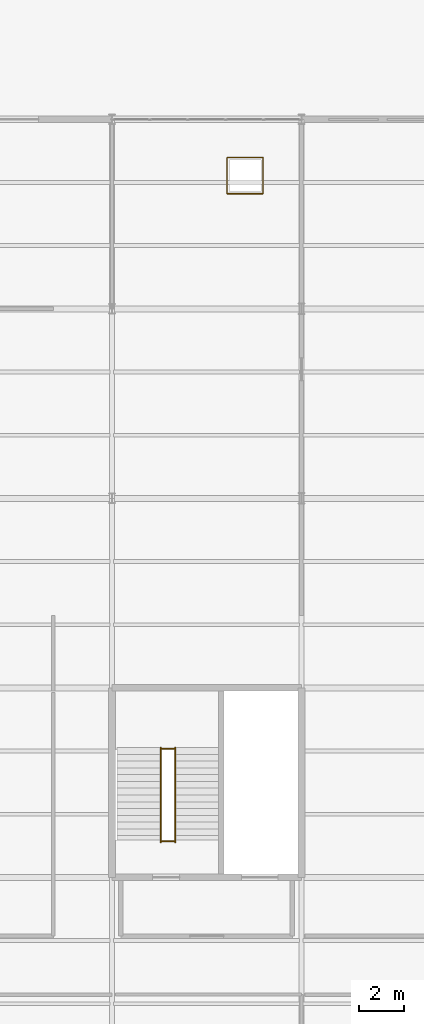
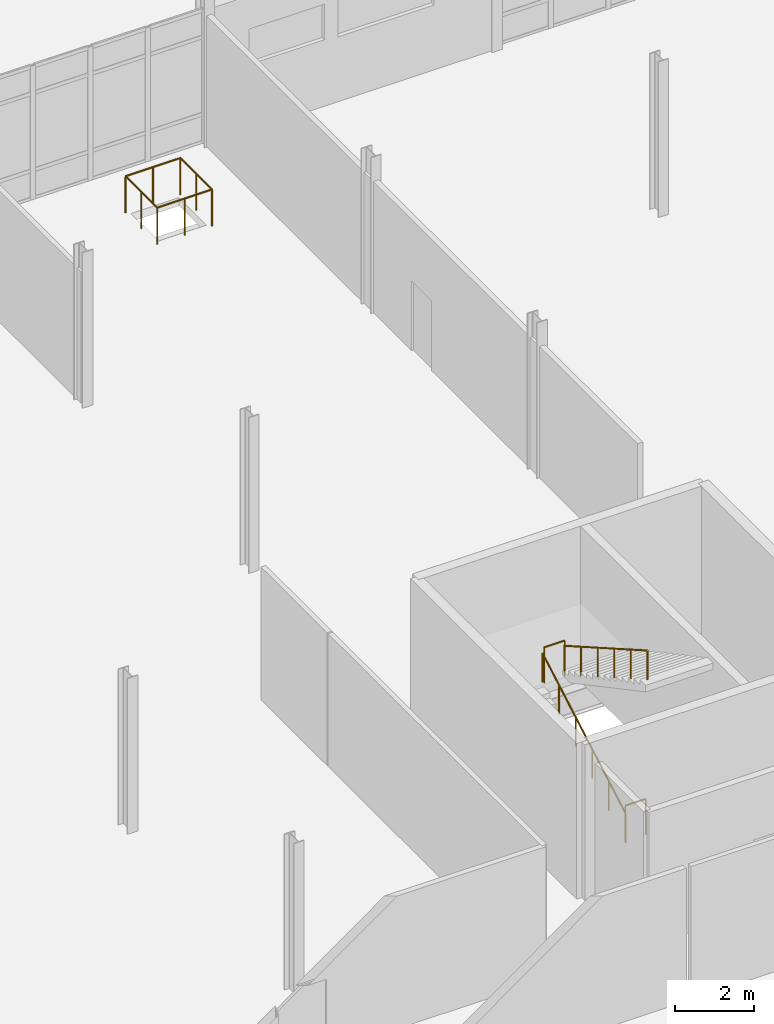
# One storey, part 142 of 145: 5 railings.
"""IFC4 building model written with IfcOpenShell, lengths in metres."""

from ifc_helpers import new_model, si_unit, direction, frame, origin, origin_2d, place, context, subcontext, project, spatial, circle, extrude, material, type_object, element, save


model = new_model("IFC4")

# Units and contexts
model_context = context("Model", 3, precision=1e-05, world=origin(), true_north=direction((0.0, 1.0)))
body_context = subcontext(model_context, "Body", "Model", "MODEL_VIEW")
ifc_project = project(units=[si_unit("LENGTHUNIT", "METRE"), si_unit("AREAUNIT", "SQUARE_METRE"), si_unit("VOLUMEUNIT", "CUBIC_METRE"), si_unit("PLANEANGLEUNIT", "RADIAN"), si_unit("MASSUNIT", "GRAM", prefix="KILO")], contexts=[model_context])

# Site, building, storey
site_placement = place(None, origin())
site = spatial("IfcSite", under=ifc_project, at=site_placement, CompositionType="ELEMENT")
building_placement = place(site_placement, origin())
building = spatial("IfcBuilding", under=site, at=building_placement, Name="Qalvenar Corner Mobility Hub", CompositionType="ELEMENT")
storey_placement = place(building_placement, origin())
storey = spatial("IfcBuildingStorey", under=building, at=storey_placement, Name="L00", CompositionType="ELEMENT", Elevation=0.0)

# Railings
ifc_material_1 = material(Name="Art Nouveau Bronze-Finished Steel Balustrade", Category="steel")
railing_type_1 = type_object("IfcRailingType", Name="RL-GUARD-110", PredefinedType="GUARDRAIL", material=ifc_material_1)
for number, where, name in (
    (1, (128.18994140625, 18.39990234375, 0.0), "Stair Arrival Slot Guard C6-L00"),
    (2, (128.18994140625, 22.5, 2.39990234375), "Stair Half-Landing Well Guard ST6-L00"),
):
    element("IfcRailing", number, at=place(storey_placement, frame(where)), inside=storey, type_object=railing_type_1, Name=name, PredefinedType="GUARDRAIL", context=body_context, shape_type="SweptSolid", body=[
        extrude(circle(Radius=0.02392578125, at=origin_2d()), frame((0.0, 0.0, 1.09619140625), z_axis=(1.0, 0.0, 0.0), x_axis=(0.0, 1.0, 0.0)), (0.0, 0.0, 1.0), 0.60009765625),
        extrude(circle(Radius=0.02099609375, at=origin_2d()), origin(), (0.0, 0.0, 1.0), 1.072021484375),
        extrude(circle(Radius=0.02099609375, at=origin_2d()), frame((0.60009765625, 0.0, 0.0)), (0.0, 0.0, 1.0), 1.072021484375),
    ])
ifc_material_2 = material(Name="Galvanised Steel Deck Edge Barrier", Category="steel")
railing_type_2 = type_object("IfcRailingType", Name="RL-GUARD-115", PredefinedType="GUARDRAIL", material=ifc_material_2)
railing_1_placement = place(storey_placement, frame((131.10009765625, 47.10009765625, 0.0)))
element("IfcRailing", 3, at=railing_1_placement, inside=storey, type_object=railing_type_2, Name="Riser Opening Guard V6-A-L00", PredefinedType="GUARDRAIL", context=body_context, shape_type="SweptSolid", body=[
    extrude(circle(Radius=0.02392578125, at=origin_2d()), frame((0.0, 0.0, 1.1259765625), z_axis=(1.0, 0.0, 0.0), x_axis=(0.0, 1.0, 0.0)), (0.0, 0.0, 1.0), 1.599853515625),
    extrude(circle(Radius=0.02392578125, at=origin_2d()), frame((1.599853515625, 0.0, 1.1259765625), z_axis=(0.0, 1.0, 0.0), x_axis=(-1.0, 0.0, 0.0)), (0.0, 0.0, 1.0), 1.599853515625),
    extrude(circle(Radius=0.02392578125, at=origin_2d()), frame((1.599853515625, 1.599853515625, 1.1259765625), z_axis=(-1.0, 0.0, 0.0), x_axis=(0.0, -1.0, 0.0)), (0.0, 0.0, 1.0), 1.599853515625),
    extrude(circle(Radius=0.02392578125, at=origin_2d()), frame((0.0, 1.599853515625, 1.1259765625), z_axis=(0.0, -1.0, 0.0), x_axis=(1.0, 0.0, 0.0)), (0.0, 0.0, 1.0), 1.599853515625),
    extrude(circle(Radius=0.02099609375, at=origin_2d()), origin(), (0.0, 0.0, 1.0), 1.101806640625),
    extrude(circle(Radius=0.02099609375, at=origin_2d()), frame((0.7998046875, 0.0, 0.0)), (0.0, 0.0, 1.0), 1.101806640625),
    extrude(circle(Radius=0.02099609375, at=origin_2d()), frame((1.599853515625, 0.0, 0.0)), (0.0, 0.0, 1.0), 1.101806640625),
    extrude(circle(Radius=0.02099609375, at=origin_2d()), frame((1.599853515625, 0.7998046875, 0.0)), (0.0, 0.0, 1.0), 1.101806640625),
    extrude(circle(Radius=0.02099609375, at=origin_2d()), frame((1.599853515625, 1.599853515625, 0.0)), (0.0, 0.0, 1.0), 1.101806640625),
    extrude(circle(Radius=0.02099609375, at=origin_2d()), frame((0.7998046875, 1.599853515625, 0.0)), (0.0, 0.0, 1.0), 1.101806640625),
    extrude(circle(Radius=0.02099609375, at=origin_2d()), frame((0.0, 1.599853515625, 0.0)), (0.0, 0.0, 1.0), 1.101806640625),
    extrude(circle(Radius=0.02099609375, at=origin_2d()), frame((0.0, 0.7998046875, 0.0)), (0.0, 0.0, 1.0), 1.101806640625),
])
ifc_material_3 = material(Name="Brushed Stainless Steel Handrail", Category="steel")
railing_type_3 = type_object("IfcRailingType", Name="RL-HAND-092", PredefinedType="HANDRAIL", material=ifc_material_3)
railing_2_placement = place(storey_placement, frame((128.169921875, 18.35009765625, 0.0)))
element("IfcRailing", 4, at=railing_2_placement, inside=storey, type_object=railing_type_3, Name="Stair Handrail ST6-L00-1", PredefinedType="HANDRAIL", context=body_context, shape_type="SweptSolid", body=[
    extrude(circle(Radius=0.02392578125, at=origin_2d()), frame((0.0, 0.0, 0.89599609375), z_axis=(0.0, 0.868249353848, 0.496128067682), x_axis=(-1.0, 0.0, 0.0)), (0.0, 0.0, 1.0), 4.837158203125),
    extrude(circle(Radius=0.02099609375, at=origin_2d()), origin(), (0.0, 0.0, 1.0), 0.871826171875),
    extrude(circle(Radius=0.02099609375, at=origin_2d()), frame((0.0, 0.840087890625, 0.47998046875)), (0.0, 0.0, 1.0), 0.871826171875),
    extrude(circle(Radius=0.02099609375, at=origin_2d()), frame((0.0, 1.679931640625, 0.9599609375)), (0.0, 0.0, 1.0), 0.871826171875),
    extrude(circle(Radius=0.02099609375, at=origin_2d()), frame((0.0, 2.52001953125, 1.43994140625)), (0.0, 0.0, 1.0), 0.871826171875),
    extrude(circle(Radius=0.02099609375, at=origin_2d()), frame((0.0, 3.35986328125, 1.919921875)), (0.0, 0.0, 1.0), 0.871826171875),
    extrude(circle(Radius=0.02099609375, at=origin_2d()), frame((0.0, 4.199951171875, 2.39990234375)), (0.0, 0.0, 1.0), 0.871826171875),
])
railing_3_placement = place(storey_placement, frame((128.81005859375, 22.550048828125, 2.39990234375)))
element("IfcRailing", 5, at=railing_3_placement, inside=storey, type_object=railing_type_3, Name="Stair Handrail ST6-L00-2", PredefinedType="HANDRAIL", context=body_context, shape_type="SweptSolid", body=[
    extrude(circle(Radius=0.02392578125, at=origin_2d()), frame((0.0, 0.0, 0.89599609375), z_axis=(0.0, -0.868227612608, 0.496166114024), x_axis=(1.0, 0.0, 0.0)), (0.0, 0.0, 1.0), 4.83740234375),
    extrude(circle(Radius=0.02099609375, at=origin_2d()), origin(), (0.0, 0.0, 1.0), 0.871826171875),
    extrude(circle(Radius=0.02099609375, at=origin_2d()), frame((0.0, -0.840087890625, 0.47998046875)), (0.0, 0.0, 1.0), 0.871826171875),
    extrude(circle(Radius=0.02099609375, at=origin_2d()), frame((0.0, -1.679931640625, 0.9599609375)), (0.0, 0.0, 1.0), 0.871826171875),
    extrude(circle(Radius=0.02099609375, at=origin_2d()), frame((0.0, -2.52001953125, 1.440185546875)), (0.0, 0.0, 1.0), 0.871826171875),
    extrude(circle(Radius=0.02099609375, at=origin_2d()), frame((0.0, -3.35986328125, 1.920166015625)), (0.0, 0.0, 1.0), 0.871826171875),
    extrude(circle(Radius=0.02099609375, at=origin_2d()), frame((0.0, -4.199951171875, 2.400146484375)), (0.0, 0.0, 1.0), 0.871826171875),
])

save(model, "model.ifc")
